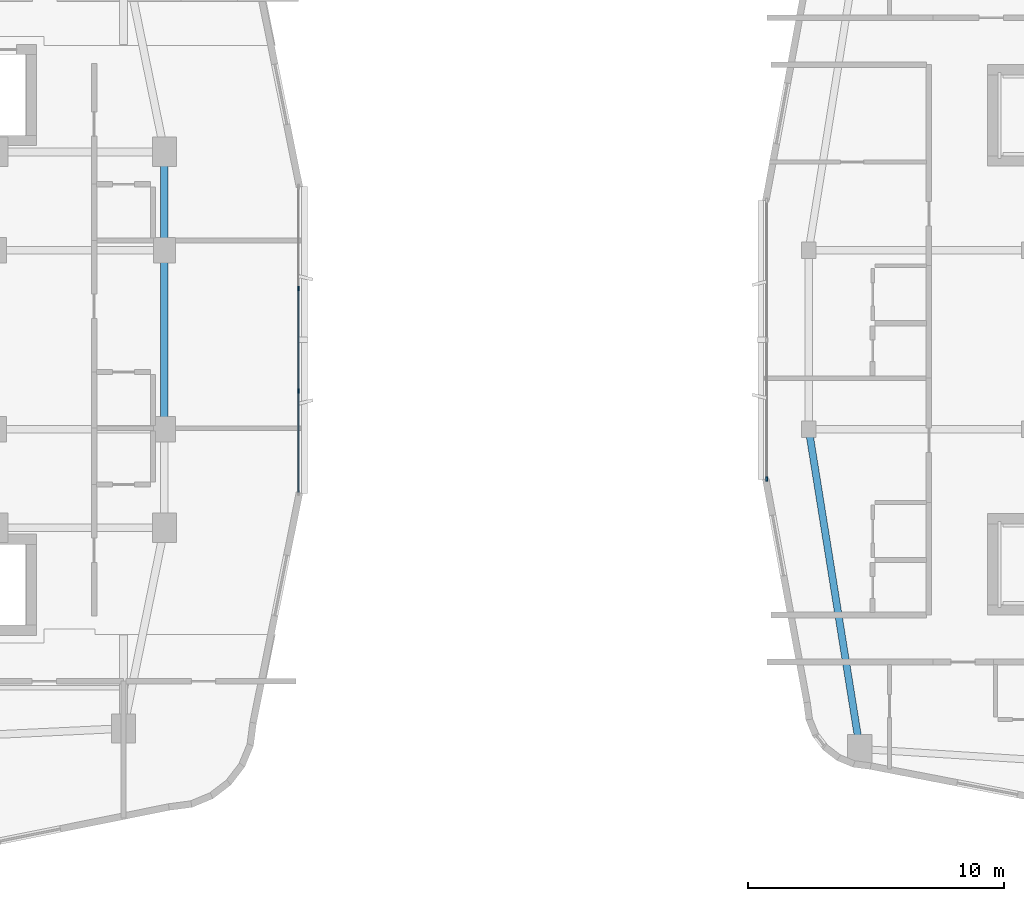
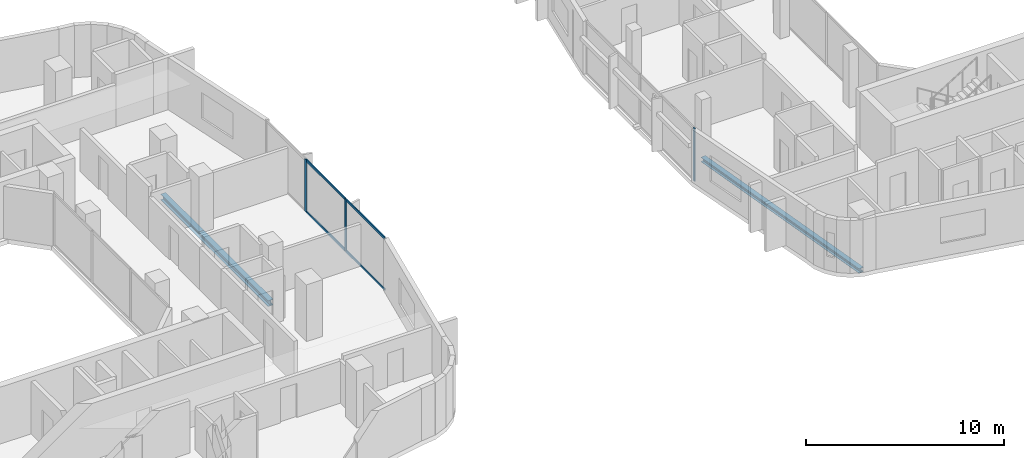
# One storey, part 5 of 26: 7 members, 3 beams, 2 elements without a shape of their own.
"""IFC4 building model written with IfcOpenShell, lengths in metres."""

from ifc_helpers import new_model, si_unit, derived_unit, direction, frame, origin, origin_2d, place, context, subcontext, project, spatial, rectangle, i_section, extrude, material, layer, layer_set, material_profile, profile_set, type_object, element, aggregate, save


model = new_model("IFC4")

# Units and contexts
model_context = context("Model", 3, precision=1e-05, world=origin(), true_north=direction((0.0, 1.0)))
body_context = subcontext(model_context, "Body", "Model", "MODEL_VIEW")
ifc_project = project(units=[si_unit("LENGTHUNIT", "METRE"), si_unit("AREAUNIT", "SQUARE_METRE"), si_unit("VOLUMEUNIT", "CUBIC_METRE"), si_unit("PLANEANGLEUNIT", "RADIAN"), si_unit("MASSUNIT", "GRAM", prefix="KILO"), derived_unit("THERMALTRANSMITTANCEUNIT", [(si_unit("POWERUNIT", "WATT"), 1), (si_unit("LENGTHUNIT", "METRE"), -2), (si_unit("THERMODYNAMICTEMPERATUREUNIT", "KELVIN"), -1)])], contexts=[model_context])

# Site, building, storey
site_placement = place(None, origin())
site = spatial("IfcSite", under=ifc_project, at=site_placement, CompositionType="ELEMENT")
building_placement = place(site_placement, origin())
building = spatial("IfcBuilding", under=site, at=building_placement, Name="Kivonza Crest Hotel", CompositionType="ELEMENT")
storey_placement = place(building_placement, frame((0.0, 0.0, 109.0)))
storey = spatial("IfcBuildingStorey", under=building, at=storey_placement, Name="L29", CompositionType="ELEMENT", Elevation=109.0)

# Beams
ifc_material_1 = material(Name="Steel S355", Category="steel")
ifc_material_profile_1 = material_profile(ifc_material_1, i_section(OverallWidth=0.280029296875, OverallDepth=0.280029296875, WebThickness=0.010498046875, FlangeThickness=0.01806640625, FilletRadius=0.02392578125, at=origin_2d()), Name="HEB 280")
ifc_profile_set_1 = profile_set([ifc_material_profile_1], Name="Steel S355")
beam_type_1 = type_object("IfcBeamType", Name="BM-HEB280", PredefinedType="SPANDREL", material=ifc_profile_set_1)
beam_1_placement = place(storey_placement, frame((61.0, 21.5, -0.389892578125), z_axis=(0.157990501107, -0.987440631917, 0.0), x_axis=(0.987440631917, 0.157990501107, 0.0)))
element("IfcBeam", 1, at=beam_1_placement, inside=storey, type_object=beam_type_1, Name="Companion Tower T2 L29 perimeter spandrel W1-SW", PredefinedType="SPANDREL", context=body_context, shape_type="SweptSolid", body=[
    extrude(i_section(OverallWidth=0.280029296875, OverallDepth=0.280029296875, WebThickness=0.010498046875, FlangeThickness=0.01806640625, FilletRadius=0.02392578125, at=origin_2d()), origin(), (0.0, 0.0, 1.0), 12.658935546875),
])
ifc_material_profile_2 = material_profile(ifc_material_1, i_section(OverallWidth=0.300048828125, OverallDepth=0.360107421875, WebThickness=0.012451171875, FlangeThickness=0.0224609375, FilletRadius=0.027099609375, at=origin_2d()), Name="HEB 360")
ifc_profile_set_2 = profile_set([ifc_material_profile_2], Name="Steel S355")
beam_type_2 = type_object("IfcBeamType", Name="BM-HEB360", PredefinedType="SPANDREL", material=ifc_profile_set_2)
beam_2_placement = place(storey_placement, frame((35.800048828125, 21.5, -0.4599609375), z_axis=(0.0, 1.0, 0.0), x_axis=(-1.0, 0.0, 0.0)))
element("IfcBeam", 2, at=beam_2_placement, inside=storey, type_object=beam_type_2, Name="Tower T1 L29 perimeter spandrel E1-E2", PredefinedType="SPANDREL", context=body_context, shape_type="SweptSolid", body=[
    extrude(i_section(OverallWidth=0.300048828125, OverallDepth=0.360107421875, WebThickness=0.012451171875, FlangeThickness=0.0224609375, FilletRadius=0.027099609375, at=origin_2d()), origin(), (0.0, 0.0, 1.0), 7.0),
])
beam_3_placement = place(storey_placement, frame((35.800048828125, 28.5, -0.4599609375), z_axis=(0.0, 1.0, 0.0), x_axis=(-1.0, 0.0, 0.0)))
element("IfcBeam", 3, at=beam_3_placement, inside=storey, type_object=beam_type_2, Name="Tower T1 L29 perimeter spandrel E2-PNE", PredefinedType="SPANDREL", context=body_context, shape_type="SweptSolid", body=[
    extrude(i_section(OverallWidth=0.300048828125, OverallDepth=0.360107421875, WebThickness=0.012451171875, FlangeThickness=0.0224609375, FilletRadius=0.027099609375, at=origin_2d()), origin(), (0.0, 0.0, 1.0), 3.85009765625),
])

# Curtain wall, members
ifc_material_2 = material(Name="Anodised bronze aluminium and low-E double glazing", Category="aluminium")
ifc_layer_1 = layer(ifc_material_2, 0.179931640625)
ifc_layer_set_1 = layer_set([ifc_layer_1], Name="Anodised bronze aluminium and low-E double glazing")
curtain_wall_type_1 = type_object("IfcCurtainWallType", Name="CW-SYS-2", PredefinedType="NOTDEFINED", material=ifc_layer_set_1)
curtain_wall_1_placement = place(storey_placement, origin())
curtain_wall_1 = element("IfcCurtainWall", 4, at=curtain_wall_1_placement, inside=storey, type_object=curtain_wall_type_1, Name="L29 unitised curtain wall CW-T1-L29-17", PredefinedType="NOTDEFINED")
ifc_material_3 = material(Name="Anodised bronze aluminium", Category="aluminium")
ifc_material_profile_3 = material_profile(ifc_material_3, rectangle(XDim=0.06494140625, YDim=0.179931640625, at=origin_2d()), Name="CW-M 65x180")
ifc_profile_set_3 = profile_set([ifc_material_profile_3], Name="Anodised bronze aluminium")
member_type_1 = type_object("IfcMemberType", Name="CW-MUL-65x180", PredefinedType="MULLION", material=ifc_profile_set_3)
member_1_placement = place(storey_placement, frame((41.0400390625, 22.993408203125, 0.0), z_axis=(0.0, 0.0, 1.0), x_axis=(-1.0, 0.0, 0.0)))
member_1 = element("IfcMember", 5, at=member_1_placement, type_object=member_type_1, Name="CW-2 mullion 2", PredefinedType="MULLION", context=body_context, shape_type="SweptSolid", body=[
    extrude(rectangle(XDim=0.06494140625, YDim=0.179931640625, at=origin_2d()), origin(), (0.0, 0.0, 1.0), 3.219970703125),
])
member_2_placement = place(storey_placement, frame((41.0400390625, 27.006591796875, 0.0), z_axis=(0.0, 0.0, 1.0), x_axis=(-1.0, 0.0, 0.0)))
member_2 = element("IfcMember", 6, at=member_2_placement, type_object=member_type_1, Name="CW-2 mullion 3", PredefinedType="MULLION", context=body_context, shape_type="SweptSolid", body=[
    extrude(rectangle(XDim=0.06494140625, YDim=0.179931640625, at=origin_2d()), origin(), (0.0, 0.0, 1.0), 3.219970703125),
])

# Curtain wall, member
ifc_layer_2 = layer(ifc_material_2, 0.179931640625)
ifc_layer_set_2 = layer_set([ifc_layer_2], Name="Anodised bronze aluminium and low-E double glazing")
curtain_wall_type_2 = type_object("IfcCurtainWallType", Name="CW-SYS-4", PredefinedType="NOTDEFINED", material=ifc_layer_set_2)
curtain_wall_2_placement = place(storey_placement, origin())
curtain_wall_2 = element("IfcCurtainWall", 7, at=curtain_wall_2_placement, inside=storey, type_object=curtain_wall_type_2, Name="L29 unitised curtain wall CW-T2-L29-35", PredefinedType="NOTDEFINED")
member_3_placement = place(storey_placement, frame((59.360107421875, 19.552490234375, 0.0), z_axis=(0.0, 0.0, 1.0), x_axis=(1.0, 0.0, 0.0)))
member_3 = element("IfcMember", 8, at=member_3_placement, type_object=member_type_1, Name="CW-4 mullion 3", PredefinedType="MULLION", context=body_context, shape_type="SweptSolid", body=[
    extrude(rectangle(XDim=0.06494140625, YDim=0.179931640625, at=origin_2d()), origin(), (0.0, 0.0, 1.0), 3.25),
])
aggregate(curtain_wall_2, [member_3])

# Member
ifc_material_profile_4 = material_profile(ifc_material_3, rectangle(XDim=0.06494140625, YDim=0.139892578125, at=origin_2d()), Name="CW-T 65x140")
ifc_profile_set_4 = profile_set([ifc_material_profile_4], Name="Anodised bronze aluminium")
member_type_2 = type_object("IfcMemberType", Name="CW-TRN-65x140", PredefinedType="USERDEFINED", material=ifc_profile_set_4)
member_4_placement = place(storey_placement, frame((41.0400390625, 19.044921875, 0.032470703125), z_axis=(0.0, 1.0, 0.0), x_axis=(-1.0, 0.0, 0.0)))
member_4 = element("IfcMember", 9, at=member_4_placement, type_object=member_type_2, Name="CW-2 transom 1.1", ObjectType="TRANSOM", PredefinedType="USERDEFINED", context=body_context, shape_type="SweptSolid", body=[
    extrude(rectangle(XDim=0.06494140625, YDim=0.139892578125, at=origin_2d()), origin(), (0.0, 0.0, 1.0), 3.916015625),
])

member_5_placement = place(storey_placement, frame((41.0400390625, 19.044921875, 3.1875), z_axis=(0.0, 1.0, 0.0), x_axis=(-1.0, 0.0, 0.0)))
member_5 = element("IfcMember", 10, at=member_5_placement, type_object=member_type_2, Name="CW-2 transom 1.2", ObjectType="TRANSOM", PredefinedType="USERDEFINED", context=body_context, shape_type="SweptSolid", body=[
    extrude(rectangle(XDim=0.06494140625, YDim=0.139892578125, at=origin_2d()), origin(), (0.0, 0.0, 1.0), 3.916015625),
])

member_6_placement = place(storey_placement, frame((41.0400390625, 23.02587890625, 0.032470703125), z_axis=(0.0, 1.0, 0.0), x_axis=(-1.0, 0.0, 0.0)))
member_6 = element("IfcMember", 11, at=member_6_placement, type_object=member_type_2, Name="CW-2 transom 2.1", ObjectType="TRANSOM", PredefinedType="USERDEFINED", context=body_context, shape_type="SweptSolid", body=[
    extrude(rectangle(XDim=0.06494140625, YDim=0.139892578125, at=origin_2d()), origin(), (0.0, 0.0, 1.0), 3.9482421875),
])

member_7_placement = place(storey_placement, frame((41.0400390625, 23.02587890625, 3.1875), z_axis=(0.0, 1.0, 0.0), x_axis=(-1.0, 0.0, 0.0)))
member_7 = element("IfcMember", 12, at=member_7_placement, type_object=member_type_2, Name="CW-2 transom 2.2", ObjectType="TRANSOM", PredefinedType="USERDEFINED", context=body_context, shape_type="SweptSolid", body=[
    extrude(rectangle(XDim=0.06494140625, YDim=0.139892578125, at=origin_2d()), origin(), (0.0, 0.0, 1.0), 3.9482421875),
])

aggregate(curtain_wall_1, [member_1, member_2, member_4, member_5, member_6, member_7])

save(model, "model.ifc")
